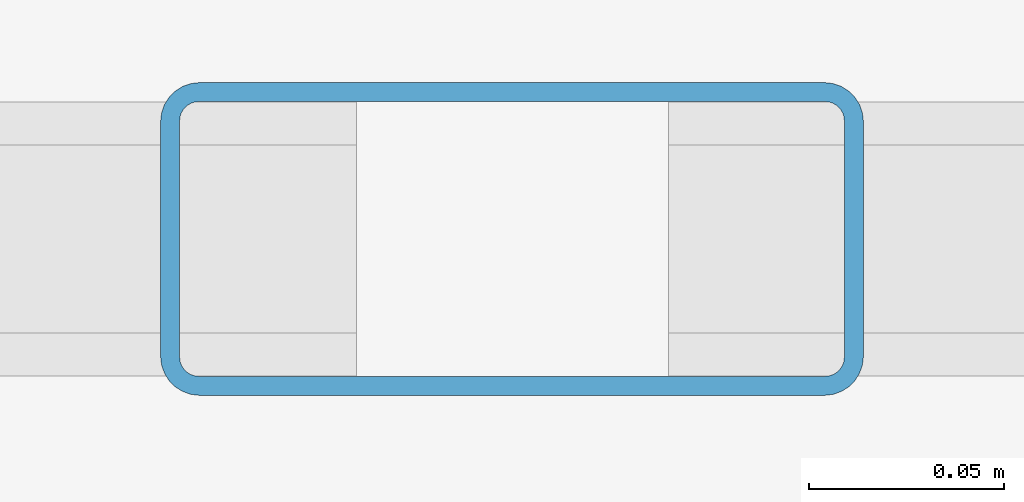
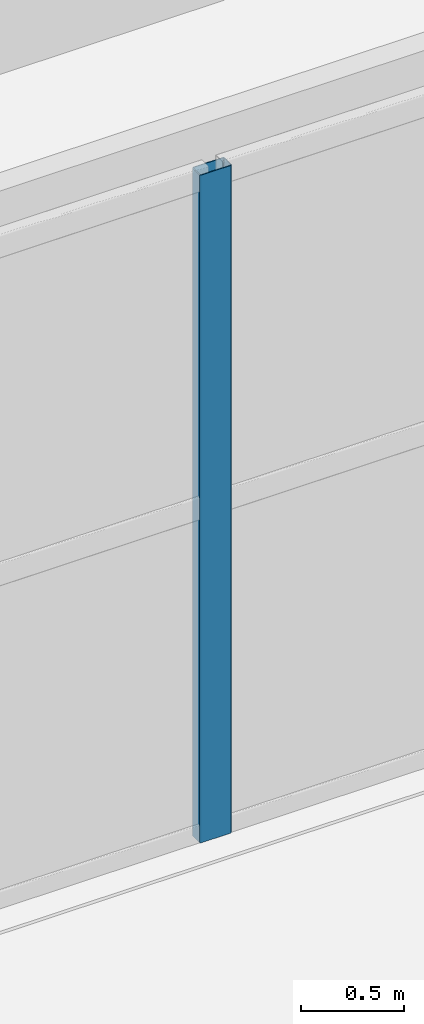
# One storey, part 5 of 29: 1 member, 1 element without a shape of its own.
"""IFC4 building model written with IfcOpenShell, lengths in metres."""

import ifcopenshell
import ifcopenshell.guid

model = None  # the IFC model being written
_history = None  # IfcOwnerHistory: only IFC2X3 demands one
_inside = {}  # id of a spatial element -> (the spatial element, [elements in it])
_under = {}  # id of a project, library or spatial element -> (it, [spatial elements below it])
_declared = {}  # id of a project -> (the project, [libraries it declares])
_typed = {}  # id of a type object -> (the type object, [elements of that type])
_made_of = {}  # id of a material, layer set ... -> (it, [elements and type objects made of it])


def new_model(schema):
    """Start an empty IFC model of exactly this schema.

    Asked for "IFC4X3", IfcOpenShell would pick the latest addendum, in which some entities
    have other attributes; the version numbers below select the first issue.
    IFC2X3 requires an IfcOwnerHistory on every rooted entity: one is made here for all.
    """
    global model, _history
    if schema == "IFC4X3":
        model = ifcopenshell.file(schema_version=(4, 3, 0, 0))
    else:
        model = ifcopenshell.file(schema=schema)
    _inside.clear()
    _under.clear()
    _declared.clear()
    _typed.clear()
    _made_of.clear()
    _history = None
    if model.schema == "IFC2X3":
        org = make("IfcOrganization", Name="unknown")
        user = make(
            "IfcPersonAndOrganization",
            ThePerson=make("IfcPerson", FamilyName="unknown"),
            TheOrganization=org,
        )
        app = make(
            "IfcApplication",
            ApplicationDeveloper=org,
            Version="unknown",
            ApplicationFullName="unknown",
            ApplicationIdentifier="unknown",
        )
        _history = make(
            "IfcOwnerHistory",
            OwningUser=user,
            OwningApplication=app,
            ChangeAction="ADDED",
            CreationDate=0,
        )
    return model


def make(cls, **values):
    """One entity of the class cls with the attributes given. An attribute that is None is left unset."""
    return model.create_entity(
        cls, **{name: value for name, value in values.items() if value is not None}
    )


def rooted(cls, **values):
    """An entity with a GlobalId (a new one), such as an element, a storey or a relation."""
    return make(cls, GlobalId=ifcopenshell.guid.new(), OwnerHistory=_history, **values)


def si_unit(unit_type, name, prefix=None):
    """IfcSIUnit, for example si_unit("LENGTHUNIT", "METRE", prefix="MILLI")."""
    return make("IfcSIUnit", UnitType=unit_type, Prefix=prefix, Name=name)


def assignment(units):
    """IfcUnitAssignment: the units of a project."""
    return None if units is None else make("IfcUnitAssignment", Units=units)


def point(xyz):
    """IfcCartesianPoint."""
    return None if xyz is None else make("IfcCartesianPoint", Coordinates=xyz)


def direction(xyz):
    """IfcDirection."""
    return None if xyz is None else make("IfcDirection", DirectionRatios=xyz)


def frame(location, z_axis=None, x_axis=None):
    """IfcAxis2Placement3D, a coordinate frame: its origin and axes. An axis left out is left unset."""
    return make(
        "IfcAxis2Placement3D",
        Location=point(location),
        Axis=direction(z_axis),
        RefDirection=direction(x_axis),
    )


def frame_2d(location, x_axis=None):
    """IfcAxis2Placement2D, a coordinate frame in the plane: its origin and x axis."""
    return make(
        "IfcAxis2Placement2D", Location=point(location), RefDirection=direction(x_axis)
    )


def origin():
    """The frame at (0, 0, 0) with its axes left unset."""
    return frame((0.0, 0.0, 0.0))


def origin_2d():
    """The frame at (0, 0) in the plane with its x axis left unset."""
    return frame_2d((0.0, 0.0))


def place(relative_to, where):
    """IfcLocalPlacement: puts the frame where relative to a parent placement (None: the world)."""
    return make(
        "IfcLocalPlacement", PlacementRelTo=relative_to, RelativePlacement=where
    )


def context(
    kind, dimensions, precision=None, world=None, true_north=None, identifier=None
):
    """IfcGeometricRepresentationContext, for example the 3D "Model" context."""
    return make(
        "IfcGeometricRepresentationContext",
        ContextIdentifier=identifier,
        ContextType=kind,
        CoordinateSpaceDimension=dimensions,
        Precision=precision,
        WorldCoordinateSystem=world,
        TrueNorth=true_north,
    )


def subcontext(parent, identifier, kind, view, scale=None):
    """IfcGeometricRepresentationSubContext, for example "Body" below "Model"."""
    return make(
        "IfcGeometricRepresentationSubContext",
        ContextIdentifier=identifier,
        ContextType=kind,
        ParentContext=parent,
        TargetScale=scale,
        TargetView=view,
    )


def project(units=None, contexts=None):
    """IfcProject with its units and contexts."""
    return rooted(
        "IfcProject",
        Name="project",
        RepresentationContexts=contexts,
        UnitsInContext=assignment(units),
    )


def spatial(cls, under=None, at=None, **own):
    """A site, building, storey or space (cls), placed at a placement, below another one or the project."""
    s = rooted(cls, ObjectPlacement=at, **own)
    if under is not None:
        _under.setdefault(under.id(), (under, []))[1].append(s)
    return s


def profile(cls, at=None, kind="AREA", **sizes):
    """A parametric profile (cls). Its sizes go by their IFC names, for example OverallWidth=200.0."""
    return make(cls, ProfileType=kind, Position=at, **sizes)


def hollow_rectangle(**sizes):
    """IfcRectangleHollowProfileDef."""
    return profile("IfcRectangleHollowProfileDef", **sizes)


def extrude(swept, where, along, depth):
    """IfcExtrudedAreaSolid: the profile swept, set in the frame where, extruded along a direction by depth."""
    return make(
        "IfcExtrudedAreaSolid",
        SweptArea=swept,
        Position=where,
        ExtrudedDirection=direction(along),
        Depth=depth,
    )


def shape(context_of_items, identifier, shape_type, items):
    """IfcShapeRepresentation: the items that make up one representation, for example the "Body"."""
    return make(
        "IfcShapeRepresentation",
        ContextOfItems=context_of_items,
        RepresentationIdentifier=identifier,
        RepresentationType=shape_type,
        Items=items,
    )


def material(Name=None, Category=None):
    """IfcMaterial."""
    return make("IfcMaterial", Name=Name, Category=Category)


def layer(
    of_material, thickness, ventilated=None, Name=None, Category=None, Priority=None
):
    """IfcMaterialLayer: one layer of a wall or slab, of a material (None: an air gap)."""
    return make(
        "IfcMaterialLayer",
        Material=of_material,
        LayerThickness=thickness,
        IsVentilated=ventilated,
        Name=Name,
        Category=Category,
        Priority=Priority,
    )


def layer_set(layers, Name=None):
    """IfcMaterialLayerSet."""
    return make("IfcMaterialLayerSet", MaterialLayers=layers, LayerSetName=Name)


def material_profile(
    of_material, cross_section, Name=None, Category=None, Priority=None
):
    """IfcMaterialProfile: a cross section and its material."""
    return make(
        "IfcMaterialProfile",
        Name=Name,
        Material=of_material,
        Profile=cross_section,
        Priority=Priority,
        Category=Category,
    )


def profile_set(profiles, Name=None, composite=None):
    """IfcMaterialProfileSet."""
    return make(
        "IfcMaterialProfileSet",
        Name=Name,
        MaterialProfiles=profiles,
        CompositeProfile=composite,
    )


def made_of(thing, what):
    """Note that an element or type object is made of a material, layer set ...; save() writes the relation."""
    if what is not None:
        _made_of.setdefault(what.id(), (what, []))[1].append(thing)
    return thing


def type_object(cls, material=None, **own):
    """A type object (cls), such as IfcWallType, which elements share."""
    return made_of(rooted(cls, **own), material)


def element(
    cls,
    number,
    at=None,
    inside=None,
    cuts=None,
    type_object=None,
    material=None,
    context=None,
    identifier="Body",
    shape_type=None,
    held_by="IfcProductDefinitionShape",
    body=None,
    shapes=None,
    **own,
):
    """One element of the class cls, such as IfcWall. Its Tag is "e" and its number.

    at: its placement. inside: the storey or other place that contains it. cuts: it is an
    opening in that element (IfcRelVoidsElement). A single representation is given by context,
    identifier, shape_type and body (its items); several are given by shapes. held_by: the class
    of the entity that holds the representations. save() writes the other relations.
    """
    e = rooted(cls, Tag="e%d" % number, ObjectPlacement=at, **own)
    if body is not None:
        shapes = [shape(context, identifier, shape_type, body)]
    if shapes is not None:
        e.Representation = make(held_by, Representations=shapes)
    if inside is not None:
        _inside.setdefault(inside.id(), (inside, []))[1].append(e)
    if cuts is not None:
        rooted(
            "IfcRelVoidsElement", RelatingBuildingElement=cuts, RelatedOpeningElement=e
        )
    if type_object is not None:
        _typed.setdefault(type_object.id(), (type_object, []))[1].append(e)
    return made_of(e, material)


def aggregate(whole, parts):
    """IfcRelAggregates: a whole, such as a stair, and the parts it consists of."""
    return rooted("IfcRelAggregates", RelatingObject=whole, RelatedObjects=parts)


def save(model, path):
    """Write the relations noted so far, then the file.

    IfcRelAggregates (storeys below a building ...), IfcRelContainedInSpatialStructure (elements
    in a storey), IfcRelDefinesByType, IfcRelAssociatesMaterial and IfcRelDeclares: one each for
    every whole, place, type object, material and project.
    """
    for whole, parts in _under.values():
        aggregate(whole, parts)
    for where, things in _inside.values():
        rooted(
            "IfcRelContainedInSpatialStructure",
            RelatedElements=things,
            RelatingStructure=where,
        )
    for kind, things in _typed.values():
        rooted("IfcRelDefinesByType", RelatedObjects=things, RelatingType=kind)
    for what, things in _made_of.values():
        rooted("IfcRelAssociatesMaterial", RelatedObjects=things, RelatingMaterial=what)
    for by, libraries in _declared.values():
        rooted("IfcRelDeclares", RelatingContext=by, RelatedDefinitions=libraries)
    model.write(path)


model = new_model("IFC4")

# Units and contexts
model_context = context("Model", 3, precision=1e-05, world=origin(), true_north=direction((0.0, 1.0)))
body_context = subcontext(model_context, "Body", "Model", "MODEL_VIEW")
ifc_project = project(units=[si_unit("LENGTHUNIT", "METRE"), si_unit("AREAUNIT", "SQUARE_METRE"), si_unit("VOLUMEUNIT", "CUBIC_METRE"), si_unit("PLANEANGLEUNIT", "RADIAN"), si_unit("MASSUNIT", "GRAM", prefix="KILO")], contexts=[model_context])

# Site, building, storey
site_placement = place(None, origin())
site = spatial("IfcSite", under=ifc_project, at=site_placement, CompositionType="ELEMENT")
building_placement = place(site_placement, origin())
building = spatial("IfcBuilding", under=site, at=building_placement, Name="Tarnavel Promenade Courthouse", CompositionType="ELEMENT")
storey_placement = place(building_placement, frame((0.0, 0.0, 22.800048828125)))
storey = spatial("IfcBuildingStorey", under=building, at=storey_placement, Name="L06", CompositionType="ELEMENT", Elevation=22.800048828125)

# Curtain wall, member
ifc_material_1 = material(Name="Thermally Broken Anodised Aluminium Curtain Wall System", Category="aluminium")
ifc_layer = layer(ifc_material_1, 0.195068359375)
ifc_layer_set = layer_set([ifc_layer], Name="Thermally Broken Anodised Aluminium Curtain Wall System")
curtain_wall_type = type_object("IfcCurtainWallType", Name="Thermally Broken Aluminium Triple-Glazed Curtain Wall CW-TER", PredefinedType="NOTDEFINED", material=ifc_layer_set)
curtain_wall_placement = place(storey_placement, origin())
curtain_wall = element("IfcCurtainWall", 1, at=curtain_wall_placement, inside=storey, type_object=curtain_wall_type, Name="L06 Trial Wing Roof-Garden Glazed Bay 189", PredefinedType="NOTDEFINED")
ifc_material_2 = material(Name="Thermally Broken Anodised Aluminium Frame", Category="aluminium")
ifc_material_profile = material_profile(ifc_material_2, hollow_rectangle(XDim=0.080078125, YDim=0.179931640625, WallThickness=0.0048828125, InnerFilletRadius=0.0048828125, OuterFilletRadius=0.010009765625, at=origin_2d()), Name="CWM 180x80x5")
ifc_profile_set = profile_set([ifc_material_profile], Name="Thermally Broken Anodised Aluminium Frame")
member_type = type_object("IfcMemberType", Name="Thermally Broken Anodised Aluminium CWM-155 (CWM 180x80x5)", PredefinedType="MULLION", material=ifc_profile_set)
member_placement = place(storey_placement, frame((31.39990234375, 72.219970703125, 0.0), z_axis=(0.0, 0.0, 1.0), x_axis=(0.0, 1.0, 0.0)))
member = element("IfcMember", 2, at=member_placement, type_object=member_type, Name="CW-06 mullion 2", PredefinedType="MULLION", context=body_context, shape_type="SweptSolid", body=[
    extrude(hollow_rectangle(XDim=0.080078125, YDim=0.179931640625, WallThickness=0.0048828125, InnerFilletRadius=0.0048828125, OuterFilletRadius=0.010009765625, at=origin_2d()), origin(), (0.0, 0.0, 1.0), 3.93994140625),
])
aggregate(curtain_wall, [member])

save(model, "model.ifc")
